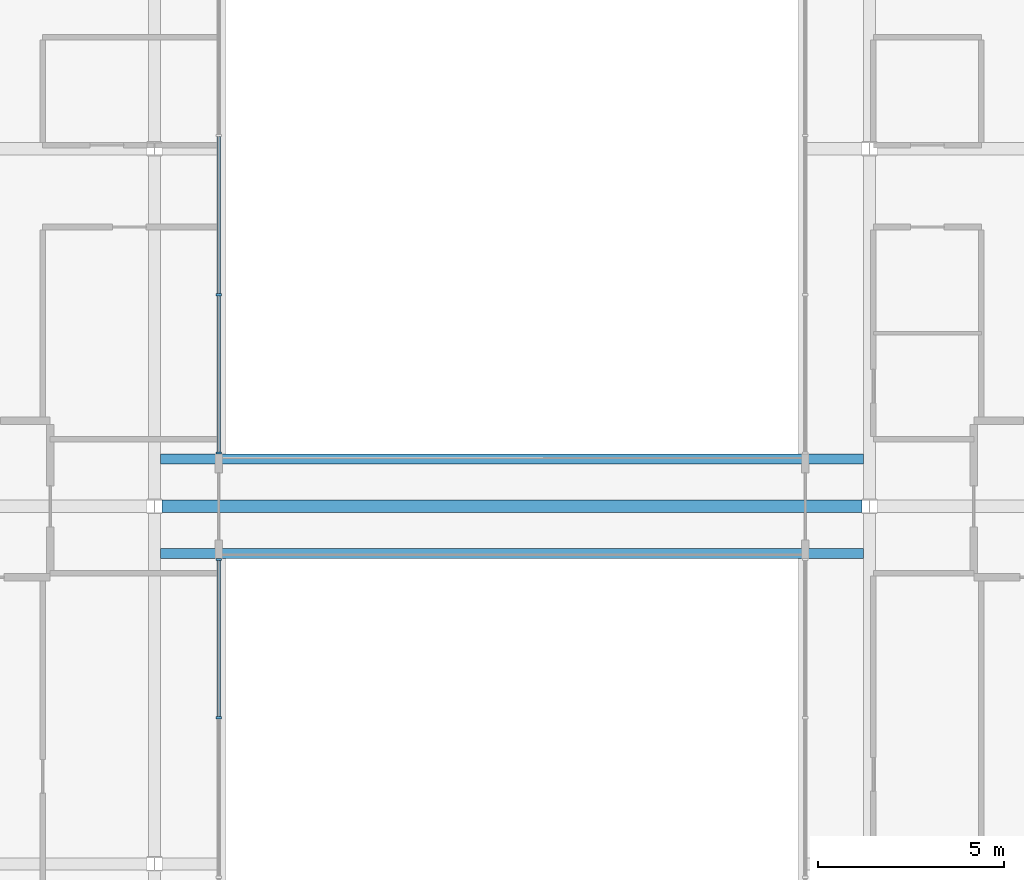
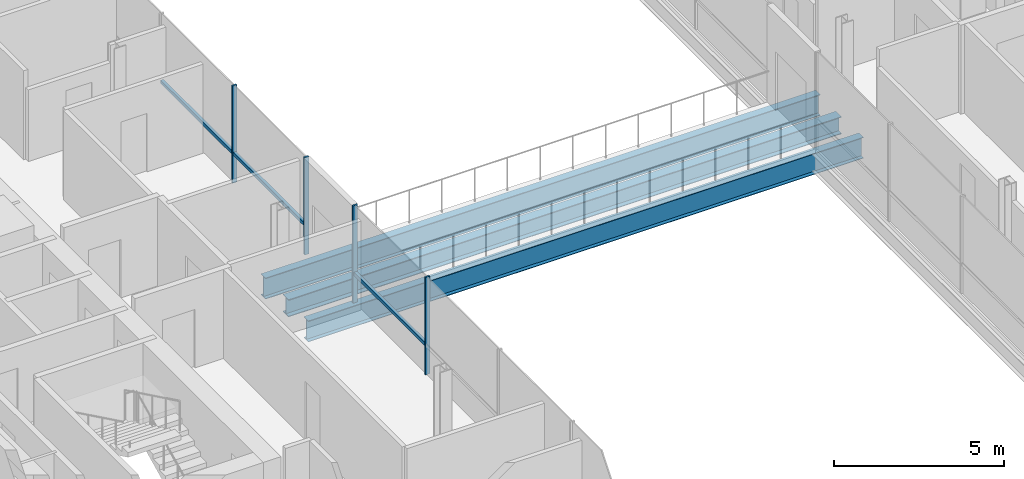
# One storey, part 4 of 17: 7 members, 3 beams, 2 elements without a shape of their own.
"""IFC4 building model written with IfcOpenShell, lengths in metres."""

from ifc_helpers import new_model, si_unit, direction, frame, origin, origin_2d, place, context, subcontext, project, spatial, rectangle, i_section, extrude, material, material_profile, profile_set, type_object, element, aggregate, save


model = new_model("IFC4")

# Units and contexts
model_context = context("Model", 3, precision=1e-05, world=origin(), true_north=direction((0.0, 1.0)))
body_context = subcontext(model_context, "Body", "Model", "MODEL_VIEW")
ifc_project = project(units=[si_unit("LENGTHUNIT", "METRE"), si_unit("AREAUNIT", "SQUARE_METRE"), si_unit("VOLUMEUNIT", "CUBIC_METRE"), si_unit("PLANEANGLEUNIT", "RADIAN"), si_unit("MASSUNIT", "GRAM", prefix="KILO")], contexts=[model_context])

# Site, building, storey
site_placement = place(None, origin())
site = spatial("IfcSite", under=ifc_project, at=site_placement, CompositionType="ELEMENT")
building_placement = place(site_placement, origin())
building = spatial("IfcBuilding", under=site, at=building_placement, Name="Cobrizo Arcos Hotel Tower", CompositionType="ELEMENT")
storey_placement = place(building_placement, frame((0.0, 0.0, 134.5)))
storey = spatial("IfcBuildingStorey", under=building, at=storey_placement, Name="L34", CompositionType="ELEMENT", Elevation=134.5)

# Curtain wall, members
ifc_material_1 = material(Name="Aluminium 6063-T6 anodised bronze", Category="aluminium")
curtain_wall_type = type_object("IfcCurtainWallType", Name="CW-F void screen", PredefinedType="NOTDEFINED", material=ifc_material_1)
curtain_wall_1_placement = place(storey_placement, origin())
curtain_wall_1 = element("IfcCurtainWall", 1, at=curtain_wall_1_placement, inside=storey, type_object=curtain_wall_type, Name="CW-F L34 void screen B", PredefinedType="NOTDEFINED")
ifc_material_profile_1 = material_profile(ifc_material_1, rectangle(XDim=0.14990234375, YDim=0.06005859375, at=origin_2d()), Name="CW-F mullion 150x60")
ifc_profile_set_1 = profile_set([ifc_material_profile_1], Name="Aluminium 6063-T6 anodised bronze")
member_type_1 = type_object("IfcMemberType", Name="CW-F mullion 150x60", PredefinedType="MULLION", material=ifc_profile_set_1)
member_1_placement = place(storey_placement, frame((-7.875, 5.679931640625, 0.0), z_axis=(0.0, 0.0, 1.0), x_axis=(-1.0, 0.0, 0.0)))
member_1 = element("IfcMember", 2, at=member_1_placement, type_object=member_type_1, Name="CW-F mullion 5", PredefinedType="MULLION", context=body_context, shape_type="SweptSolid", body=[
    extrude(rectangle(XDim=0.14990234375, YDim=0.06005859375, at=origin_2d()), origin(), (0.0, 0.0, 1.0), 3.5),
])
member_2_placement = place(storey_placement, frame((-7.875, 1.429931640625, 0.0), z_axis=(0.0, 0.0, 1.0), x_axis=(-1.0, 0.0, 0.0)))
member_2 = element("IfcMember", 3, at=member_2_placement, type_object=member_type_1, Name="CW-F mullion 6", PredefinedType="MULLION", context=body_context, shape_type="SweptSolid", body=[
    extrude(rectangle(XDim=0.14990234375, YDim=0.06005859375, at=origin_2d()), origin(), (0.0, 0.0, 1.0), 3.5),
])

curtain_wall_2_placement = place(storey_placement, origin())
curtain_wall_2 = element("IfcCurtainWall", 4, at=curtain_wall_2_placement, inside=storey, type_object=curtain_wall_type, Name="CW-F L34 void screen B", PredefinedType="NOTDEFINED")
member_3_placement = place(storey_placement, frame((-7.875, -1.429931640625, 0.0), z_axis=(0.0, 0.0, 1.0), x_axis=(-1.0, 0.0, 0.0)))
member_3 = element("IfcMember", 5, at=member_3_placement, type_object=member_type_1, Name="CW-F mullion 1", PredefinedType="MULLION", context=body_context, shape_type="SweptSolid", body=[
    extrude(rectangle(XDim=0.14990234375, YDim=0.06005859375, at=origin_2d()), origin(), (0.0, 0.0, 1.0), 3.5),
])
member_4_placement = place(storey_placement, frame((-7.875, -5.679931640625, 0.0), z_axis=(0.0, 0.0, 1.0), x_axis=(-1.0, 0.0, 0.0)))
member_4 = element("IfcMember", 6, at=member_4_placement, type_object=member_type_1, Name="CW-F mullion 2", PredefinedType="MULLION", context=body_context, shape_type="SweptSolid", body=[
    extrude(rectangle(XDim=0.14990234375, YDim=0.06005859375, at=origin_2d()), origin(), (0.0, 0.0, 1.0), 3.5),
])

# Member
ifc_material_profile_2 = material_profile(ifc_material_1, rectangle(XDim=0.10009765625, YDim=0.1201171875, at=origin_2d()), Name="CW-F transom 120x100")
ifc_profile_set_2 = profile_set([ifc_material_profile_2], Name="Aluminium 6063-T6 anodised bronze")
member_type_2 = type_object("IfcMemberType", Name="CW-F transom 120x100", PredefinedType="USERDEFINED", material=ifc_profile_set_2)
member_5_placement = place(storey_placement, frame((-7.875, 9.929931640625, 1.050048828125), z_axis=(0.0, -1.0, 0.0), x_axis=(1.0, 0.0, 0.0)))
member_5 = element("IfcMember", 7, at=member_5_placement, type_object=member_type_2, Name="CW-F transom 2679", ObjectType="TRANSOM", PredefinedType="USERDEFINED", context=body_context, shape_type="SweptSolid", body=[
    extrude(rectangle(XDim=0.10009765625, YDim=0.1201171875, at=origin_2d()), origin(), (0.0, 0.0, 1.0), 4.219970703125),
])

member_6_placement = place(storey_placement, frame((-7.875, 5.64990234375, 1.050048828125), z_axis=(0.0, -1.0, 0.0), x_axis=(1.0, 0.0, 0.0)))
member_6 = element("IfcMember", 8, at=member_6_placement, type_object=member_type_2, Name="CW-F transom 2680", ObjectType="TRANSOM", PredefinedType="USERDEFINED", context=body_context, shape_type="SweptSolid", body=[
    extrude(rectangle(XDim=0.10009765625, YDim=0.1201171875, at=origin_2d()), origin(), (0.0, 0.0, 1.0), 4.18994140625),
])

aggregate(curtain_wall_1, [member_1, member_2, member_5, member_6])

member_7_placement = place(storey_placement, frame((-7.875, -1.4599609375, 1.050048828125), z_axis=(0.0, -1.0, 0.0), x_axis=(1.0, 0.0, 0.0)))
member_7 = element("IfcMember", 9, at=member_7_placement, type_object=member_type_2, Name="CW-F transom 2681", ObjectType="TRANSOM", PredefinedType="USERDEFINED", context=body_context, shape_type="SweptSolid", body=[
    extrude(rectangle(XDim=0.10009765625, YDim=0.1201171875, at=origin_2d()), origin(), (0.0, 0.0, 1.0), 4.18994140625),
])

aggregate(curtain_wall_2, [member_3, member_4, member_7])

# Beams
ifc_material_2 = material(Name="Steel ASTM A992 Grade 50", Category="steel")
ifc_material_profile_3 = material_profile(ifc_material_2, i_section(OverallWidth=0.32763671875, OverallDepth=0.622314453125, WebThickness=0.015380859375, FlangeThickness=0.0244140625, at=origin_2d()), Name="W24X131")
ifc_profile_set_3 = profile_set([ifc_material_profile_3], Name="Steel ASTM A992 Grade 50")
beam_type_1 = type_object("IfcBeamType", Name="W24X131 girder", PredefinedType="BEAM", material=ifc_profile_set_3)
beam_placement = place(storey_placement, frame((-9.400634765625, 0.0, -0.461181640625), z_axis=(1.0, 0.0, 0.0), x_axis=(0.0, 1.0, 0.0)))
element("IfcBeam", 10, at=beam_placement, inside=storey, type_object=beam_type_1, Name="Floor girder G1, L34, no. 006", PredefinedType="BEAM", context=body_context, shape_type="SweptSolid", body=[
    extrude(i_section(OverallWidth=0.32763671875, OverallDepth=0.622314453125, WebThickness=0.015380859375, FlangeThickness=0.0244140625, at=origin_2d()), origin(), (0.0, 0.0, 1.0), 18.80126953125),
])
ifc_material_profile_4 = material_profile(ifc_material_2, i_section(OverallWidth=0.2666015625, OverallDepth=0.7568359375, WebThickness=0.013916015625, FlangeThickness=0.019287109375, at=origin_2d()), Name="W30X108")
ifc_profile_set_4 = profile_set([ifc_material_profile_4], Name="Steel ASTM A992 Grade 50")
beam_type_2 = type_object("IfcBeamType", Name="W30X108 bridge girder", PredefinedType="BEAM", material=ifc_profile_set_4)
for number, where, z_axis, x_axis, name in (
    (11, (-9.43603515625, -1.2666015625, -0.5283203125), (1.0, 0.0, 0.0), (0.0, 1.0, 0.0), "Bridge girder BG1, L34, no. 001"),
    (12, (-9.43603515625, 1.2666015625, -0.5283203125), (1.0, 0.0, 0.0), (0.0, 1.0, 0.0), "Bridge girder BG1, L34, no. 002"),
):
    element("IfcBeam", number, at=place(storey_placement, frame(where, z_axis=z_axis, x_axis=x_axis)), inside=storey, type_object=beam_type_2, Name=name, PredefinedType="BEAM", context=body_context, shape_type="SweptSolid", body=[
        extrude(i_section(OverallWidth=0.2666015625, OverallDepth=0.7568359375, WebThickness=0.013916015625, FlangeThickness=0.019287109375, at=origin_2d()), origin(), (0.0, 0.0, 1.0), 18.8720703125),
    ])

save(model, "model.ifc")
